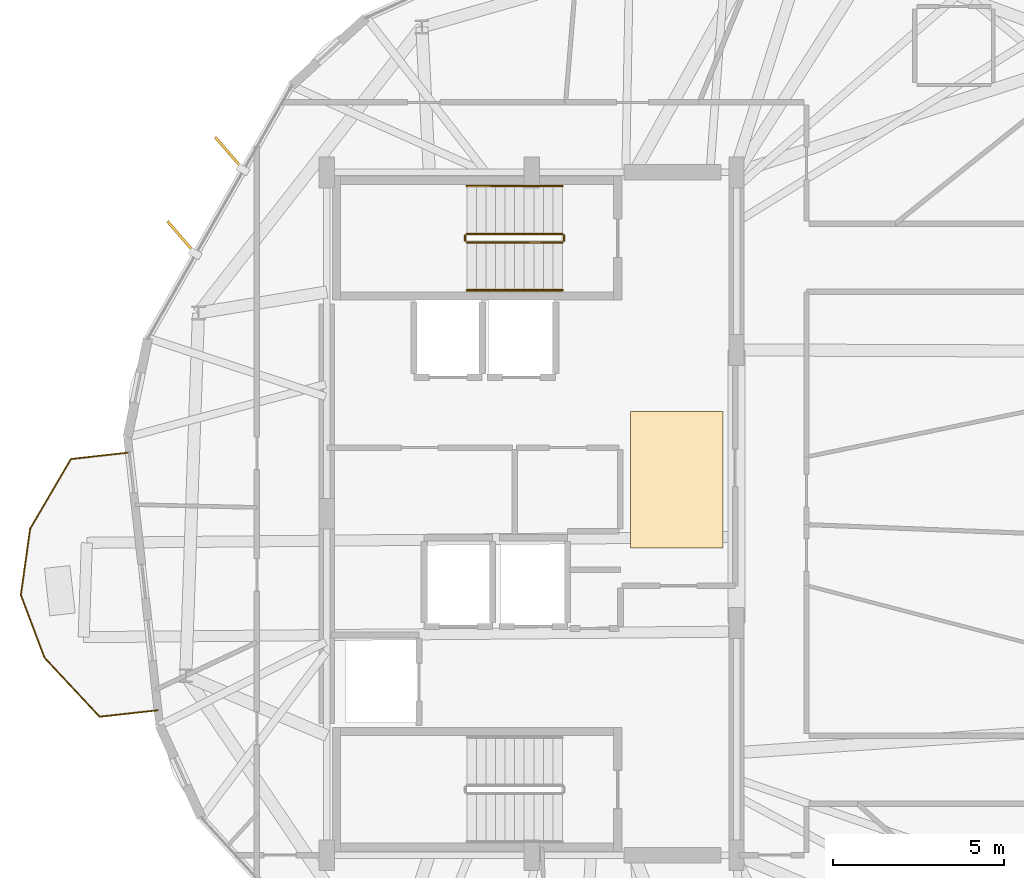
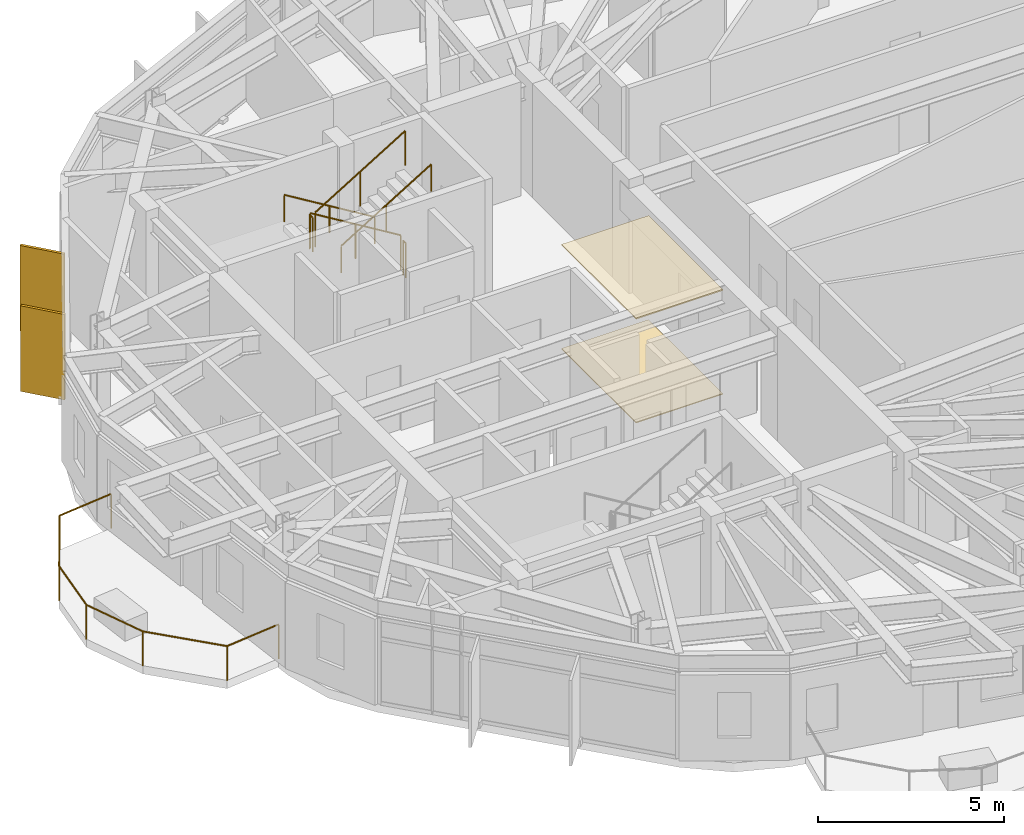
# One storey, part 22 of 23: 7 railings, 2 coverings, 2 shading devices.
"""IFC4 building model written with IfcOpenShell, lengths in metres."""

from ifc_helpers import new_model, si_unit, direction, frame, origin, origin_2d, place, context, subcontext, project, spatial, polyline, rectangle, circle, outline, extrude, material, layer, layer_set, type_object, element, save


model = new_model("IFC4")

# Units and contexts
model_context = context("Model", 3, precision=1e-05, world=origin(), true_north=direction((0.0, 1.0)))
body_context = subcontext(model_context, "Body", "Model", "MODEL_VIEW")
ifc_project = project(units=[si_unit("LENGTHUNIT", "METRE"), si_unit("AREAUNIT", "SQUARE_METRE"), si_unit("VOLUMEUNIT", "CUBIC_METRE"), si_unit("PLANEANGLEUNIT", "RADIAN"), si_unit("MASSUNIT", "GRAM", prefix="KILO")], contexts=[model_context])

# Site, building, storey
site_placement = place(None, origin())
site = spatial("IfcSite", under=ifc_project, at=site_placement, CompositionType="ELEMENT")
building_placement = place(site_placement, origin())
building = spatial("IfcBuilding", under=site, at=building_placement, Name="Soratama Intermodal Tower", CompositionType="ELEMENT")
storey_placement = place(building_placement, frame((0.0, 0.0, 257.5)))
storey = spatial("IfcBuildingStorey", under=building, at=storey_placement, Name="L65", CompositionType="ELEMENT", Elevation=257.5)

# Coverings
ifc_material_1 = material(Name="Perforated mineral acoustic ceiling", Category="concrete")
ifc_layer_1 = layer(ifc_material_1, 0.0400390625)
ifc_layer_set_1 = layer_set([ifc_layer_1], Name="Perforated mineral acoustic ceiling")
covering_type_1 = type_object("IfcCoveringType", Name="CV-CEIL-ACOUSTIC", PredefinedType="CEILING", material=ifc_layer_set_1)
covering_1_placement = place(storey_placement, frame((0.0, 0.0, 3.409912109375)))
element("IfcCovering", 1, at=covering_1_placement, inside=storey, type_object=covering_type_1, Name="L65 Acoustic Ceiling", PredefinedType="CEILING", context=body_context, shape_type="SweptSolid", body=[
    extrude(outline(polyline([(41.5, 24.0), (44.199951171875, 24.0), (44.199951171875, 28.0), (41.5, 28.0), (41.5, 24.0)])), origin(), (0.0, 0.0, 1.0), 0.0400390625),
])
ifc_material_2 = material(Name="Polished Andean stone terrazzo flooring", Category="masonry")
ifc_layer_2 = layer(ifc_material_2, 0.030029296875)
ifc_layer_set_2 = layer_set([ifc_layer_2], Name="Polished Andean stone terrazzo flooring")
covering_type_2 = type_object("IfcCoveringType", Name="CV-FLOR-TERRAZZO", PredefinedType="FLOORING", material=ifc_layer_set_2)
covering_2_placement = place(storey_placement, origin())
element("IfcCovering", 2, at=covering_2_placement, inside=storey, type_object=covering_type_2, Name="L65 Lobby Terrazzo Flooring", PredefinedType="FLOORING", context=body_context, shape_type="SweptSolid", body=[
    extrude(outline(polyline([(41.5, 24.0), (44.199951171875, 24.0), (44.199951171875, 28.0), (41.5, 28.0), (41.5, 24.0)])), origin(), (0.0, 0.0, 1.0), 0.030029296875),
])

# Railings
ifc_material_3 = material(Name="Laminated glass and stainless steel balustrade", Category="steel")
railing_type_1 = type_object("IfcRailingType", Name="RL-BAL-1150", PredefinedType="BALUSTRADE", material=ifc_material_3)
railing_1_placement = place(storey_placement, frame((27.651123046875, 19.242919921875, 0.0)))
element("IfcRailing", 3, at=railing_1_placement, inside=storey, type_object=railing_type_1, Name="L65 Balcony Balustrade 2", PredefinedType="BALUSTRADE", context=body_context, shape_type="SweptSolid", body=[
    extrude(circle(Radius=0.02392578125, at=origin_2d()), frame((0.0, 0.0, 1.1259765625), z_axis=(-0.993836910597, -0.110852131845, 0.0), x_axis=(0.110852131845, -0.993836910597, 0.0)), (0.0, 0.0, 1.0), 1.719970703125),
    extrude(circle(Radius=0.02392578125, at=origin_2d()), frame((-1.70947265625, -0.190673828125, 1.1259765625), z_axis=(-0.682527512856, 0.730859900525, 0.0), x_axis=(-0.730859900525, -0.682527512856, 0.0)), (0.0, 0.0, 1.0), 2.369140625),
    extrude(circle(Radius=0.02392578125, at=origin_2d()), frame((-3.326416015625, 1.540771484375, 1.1259765625), z_axis=(-0.352964717653, 0.935636632509, 0.0), x_axis=(-0.935636632509, -0.352964717653, 0.0)), (0.0, 0.0, 1.0), 1.9609375),
    extrude(circle(Radius=0.02392578125, at=origin_2d()), frame((-4.0185546875, 3.37548828125, 1.1259765625), z_axis=(0.138335208951, 0.990385465344, 0.0), x_axis=(-0.990385465344, 0.138335208951, 0.0)), (0.0, 0.0, 1.0), 1.960693359375),
    extrude(circle(Radius=0.02392578125, at=origin_2d()), frame((-3.747314453125, 5.3173828125, 1.1259765625), z_axis=(0.504870275827, 0.863195229706, 0.0), x_axis=(-0.863195229706, 0.504870275827, 0.0)), (0.0, 0.0, 1.0), 2.368896484375),
    extrude(circle(Radius=0.02392578125, at=origin_2d()), frame((-2.55126953125, 7.3623046875, 1.1259765625), z_axis=(0.993836910597, 0.110852131845, 0.0), x_axis=(-0.110852131845, 0.993836910597, 0.0)), (0.0, 0.0, 1.0), 1.719970703125),
    extrude(circle(Radius=0.02099609375, at=origin_2d()), origin(), (0.0, 0.0, 1.0), 1.101806640625),
    extrude(circle(Radius=0.02099609375, at=origin_2d()), frame((-1.70947265625, -0.190673828125, 0.0)), (0.0, 0.0, 1.0), 1.101806640625),
    extrude(circle(Radius=0.02099609375, at=origin_2d()), frame((-3.326416015625, 1.540771484375, 0.0)), (0.0, 0.0, 1.0), 1.101806640625),
    extrude(circle(Radius=0.02099609375, at=origin_2d()), frame((-4.0185546875, 3.37548828125, 0.0)), (0.0, 0.0, 1.0), 1.101806640625),
    extrude(circle(Radius=0.02099609375, at=origin_2d()), frame((-3.747314453125, 5.3173828125, 0.0)), (0.0, 0.0, 1.0), 1.101806640625),
    extrude(circle(Radius=0.02099609375, at=origin_2d()), frame((-2.55126953125, 7.3623046875, 0.0)), (0.0, 0.0, 1.0), 1.101806640625),
    extrude(circle(Radius=0.02099609375, at=origin_2d()), frame((-0.841796875, 7.552978515625, 0.0)), (0.0, 0.0, 1.0), 1.101806640625),
])
ifc_material_4 = material(Name="Painted steel stair guardrail", Category="steel")
railing_type_2 = type_object("IfcRailingType", Name="RL-STAIR-GUARD", PredefinedType="GUARDRAIL", material=ifc_material_4)
railing_2_placement = place(storey_placement, frame((39.5, 33.199951171875, 0.17041015625)))
element("IfcRailing", 4, at=railing_2_placement, inside=storey, type_object=railing_type_2, Name="L65 ST-2 stair guard 1", PredefinedType="GUARDRAIL", context=body_context, shape_type="SweptSolid", body=[
    extrude(circle(Radius=0.02392578125, at=origin_2d()), frame((0.0, 0.0, 1.1259765625), z_axis=(-0.854169791009, 0.0, 0.51999420009), x_axis=(0.0, -1.0, 0.0)), (0.0, 0.0, 1.0), 3.278076171875),
    extrude(circle(Radius=0.02099609375, at=origin_2d()), origin(), (0.0, 0.0, 1.0), 1.101806640625),
    extrude(circle(Radius=0.02099609375, at=origin_2d()), frame((-1.39990234375, 0.0, 0.852294921875)), (0.0, 0.0, 1.0), 1.101806640625),
    extrude(circle(Radius=0.02099609375, at=origin_2d()), frame((-2.800048828125, 0.0, 1.70458984375)), (0.0, 0.0, 1.0), 1.101806640625),
])
railing_3_placement = place(storey_placement, frame((36.64990234375, 33.14990234375, 1.875)))
element("IfcRailing", 5, at=railing_3_placement, inside=storey, type_object=railing_type_2, Name="L65 ST-2 stair guard 2", PredefinedType="GUARDRAIL", context=body_context, shape_type="SweptSolid", body=[
    extrude(circle(Radius=0.02392578125, at=origin_2d()), frame((0.0, 0.0, 1.1259765625), z_axis=(0.0, -1.0, 0.0), x_axis=(1.0, 0.0, 0.0)), (0.0, 0.0, 1.0), 0.14990234375),
    extrude(circle(Radius=0.02099609375, at=origin_2d()), origin(), (0.0, 0.0, 1.0), 1.101806640625),
    extrude(circle(Radius=0.02099609375, at=origin_2d()), frame((0.0, -0.14990234375, 0.0)), (0.0, 0.0, 1.0), 1.101806640625),
])
railing_4_placement = place(storey_placement, frame((36.699951171875, 32.949951171875, 2.04541015625)))
element("IfcRailing", 6, at=railing_4_placement, inside=storey, type_object=railing_type_2, Name="L65 ST-2 stair guard 3", PredefinedType="GUARDRAIL", context=body_context, shape_type="SweptSolid", body=[
    extrude(circle(Radius=0.02392578125, at=origin_2d()), frame((0.0, 0.0, 1.1259765625), z_axis=(0.854169791009, 0.0, 0.51999420009), x_axis=(0.0, 1.0, 0.0)), (0.0, 0.0, 1.0), 3.278076171875),
    extrude(circle(Radius=0.02099609375, at=origin_2d()), origin(), (0.0, 0.0, 1.0), 1.101806640625),
    extrude(circle(Radius=0.02099609375, at=origin_2d()), frame((1.39990234375, 0.0, 0.852294921875)), (0.0, 0.0, 1.0), 1.101806640625),
    extrude(circle(Radius=0.02099609375, at=origin_2d()), frame((2.800048828125, 0.0, 1.70458984375)), (0.0, 0.0, 1.0), 1.101806640625),
])
railing_5_placement = place(storey_placement, frame((39.550048828125, 33.14990234375, 0.0)))
element("IfcRailing", 7, at=railing_5_placement, inside=storey, type_object=railing_type_2, Name="L65 ST-2 stair guard 4", PredefinedType="GUARDRAIL", context=body_context, shape_type="SweptSolid", body=[
    extrude(circle(Radius=0.02392578125, at=origin_2d()), frame((0.0, 0.0, 1.1259765625), z_axis=(0.0, -1.0, 0.0), x_axis=(1.0, 0.0, 0.0)), (0.0, 0.0, 1.0), 0.14990234375),
    extrude(circle(Radius=0.02099609375, at=origin_2d()), origin(), (0.0, 0.0, 1.0), 1.101806640625),
    extrude(circle(Radius=0.02099609375, at=origin_2d()), frame((0.0, -0.14990234375, 0.0)), (0.0, 0.0, 1.0), 1.101806640625),
])
ifc_material_5 = material(Name="Brushed stainless steel handrail", Category="steel")
railing_type_3 = type_object("IfcRailingType", Name="RL-STAIR-HAND", PredefinedType="HANDRAIL", material=ifc_material_5)
railing_6_placement = place(storey_placement, frame((39.5, 34.60009765625, 0.17041015625)))
element("IfcRailing", 8, at=railing_6_placement, inside=storey, type_object=railing_type_3, Name="L65 ST-2 stair handrail 1", PredefinedType="HANDRAIL", context=body_context, shape_type="SweptSolid", body=[
    extrude(circle(Radius=0.02392578125, at=origin_2d()), frame((0.0, 0.0, 0.8759765625), z_axis=(-0.854169791009, 0.0, 0.51999420009), x_axis=(0.0, -1.0, 0.0)), (0.0, 0.0, 1.0), 3.278076171875),
    extrude(circle(Radius=0.02099609375, at=origin_2d()), origin(), (0.0, 0.0, 1.0), 0.851806640625),
    extrude(circle(Radius=0.02099609375, at=origin_2d()), frame((-1.39990234375, 0.0, 0.852294921875)), (0.0, 0.0, 1.0), 0.851806640625),
    extrude(circle(Radius=0.02099609375, at=origin_2d()), frame((-2.800048828125, 0.0, 1.70458984375)), (0.0, 0.0, 1.0), 0.851806640625),
])
railing_7_placement = place(storey_placement, frame((36.699951171875, 31.550048828125, 2.04541015625)))
element("IfcRailing", 9, at=railing_7_placement, inside=storey, type_object=railing_type_3, Name="L65 ST-2 stair handrail 2", PredefinedType="HANDRAIL", context=body_context, shape_type="SweptSolid", body=[
    extrude(circle(Radius=0.02392578125, at=origin_2d()), frame((0.0, 0.0, 0.8759765625), z_axis=(0.854169791009, 0.0, 0.51999420009), x_axis=(0.0, 1.0, 0.0)), (0.0, 0.0, 1.0), 3.278076171875),
    extrude(circle(Radius=0.02099609375, at=origin_2d()), origin(), (0.0, 0.0, 1.0), 0.851806640625),
    extrude(circle(Radius=0.02099609375, at=origin_2d()), frame((1.39990234375, 0.0, 0.852294921875)), (0.0, 0.0, 1.0), 0.851806640625),
    extrude(circle(Radius=0.02099609375, at=origin_2d()), frame((2.800048828125, 0.0, 1.70458984375)), (0.0, 0.0, 1.0), 0.851806640625),
])

# Shading devices
ifc_material_6 = material(Name="Champagne anodised aluminium solar fin", Category="aluminium")
ifc_layer_3 = layer(ifc_material_6, 0.080078125)
ifc_layer_set_3 = layer_set([ifc_layer_3], Name="Champagne anodised aluminium solar fin")
shading_device_type = type_object("IfcShadingDeviceType", Name="SH-FIN-1250", PredefinedType="USERDEFINED", material=ifc_layer_set_3)
for number, where, z_axis, x_axis, name in (
    (10, (29.73779296875, 35.56103515625, 0.02001953125), (0.0, 0.0, 1.0), (-0.655268339386, 0.75539618969, 0.0), "L65 Solar Fin F03-1"),
    (11, (28.33642578125, 33.098388671875, 0.02001953125), (0.0, 0.0, 1.0), (-0.655268339386, 0.75539618969, 0.0), "L65 Solar Fin F03-2"),
):
    element("IfcShadingDevice", number, at=place(storey_placement, frame(where, z_axis=z_axis, x_axis=x_axis)), inside=storey, type_object=shading_device_type, Name=name, ObjectType="FIN", PredefinedType="USERDEFINED", context=body_context, shape_type="SweptSolid", body=[
        extrude(rectangle(XDim=1.25, YDim=0.080078125, at=origin_2d()), origin(), (0.0, 0.0, 1.0), 2.80908203125),
    ])

save(model, "model.ifc")
